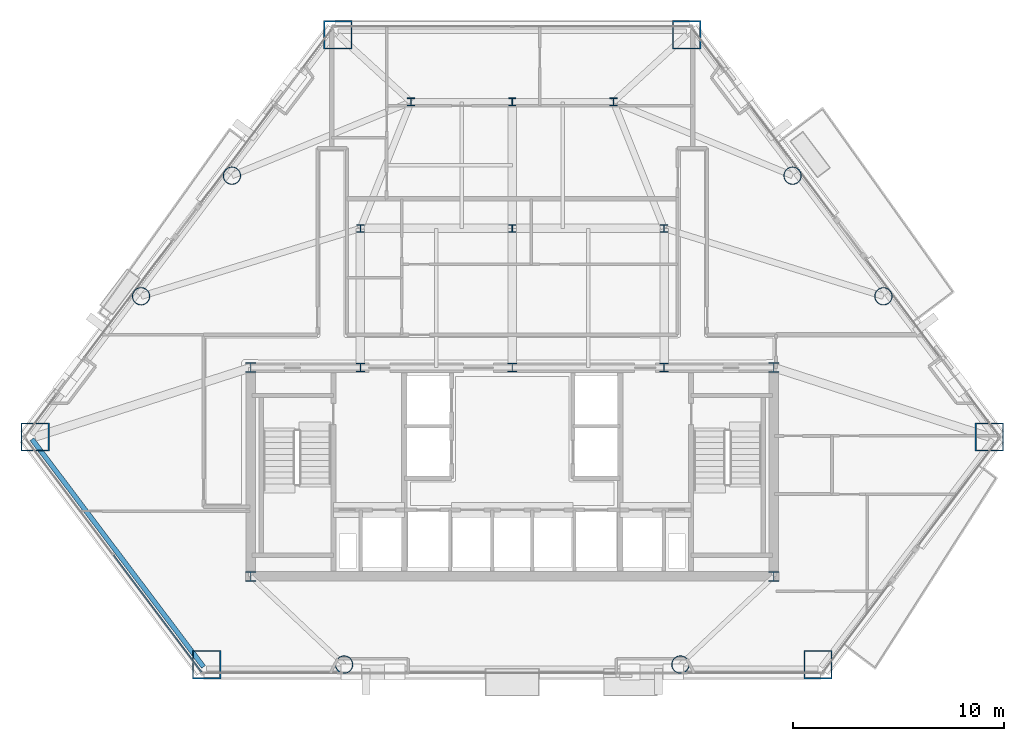
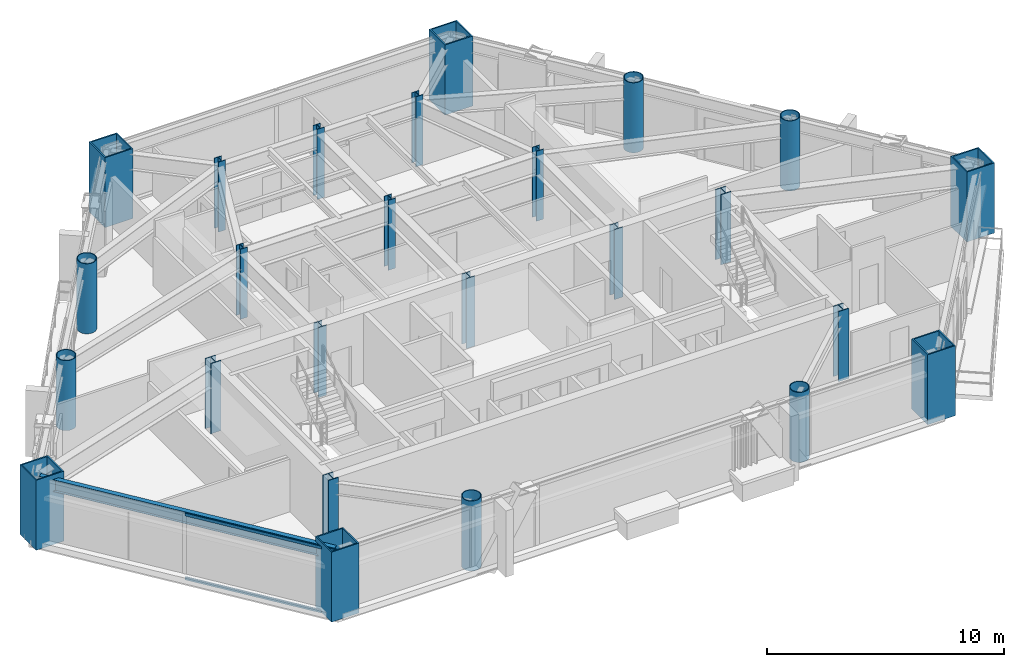
# One storey, part 1 of 11: 25 columns, 2 members, 1 beam, 1 element without a shape of its own.
"""IFC4 building model written with IfcOpenShell, lengths in metres."""

from ifc_helpers import new_model, si_unit, direction, frame, origin, origin_2d, place, context, subcontext, project, spatial, rectangle, hollow_rectangle, hollow_circle, i_section, extrude, material, layer, layer_set, material_profile, profile_set, type_object, element, aggregate, save


model = new_model("IFC4")

# Units and contexts
model_context = context("Model", 3, precision=1e-05, world=origin(), true_north=direction((0.0, 1.0)))
body_context = subcontext(model_context, "Body", "Model", "MODEL_VIEW")
ifc_project = project(units=[si_unit("LENGTHUNIT", "METRE"), si_unit("AREAUNIT", "SQUARE_METRE"), si_unit("VOLUMEUNIT", "CUBIC_METRE"), si_unit("PLANEANGLEUNIT", "RADIAN"), si_unit("MASSUNIT", "GRAM", prefix="KILO")], contexts=[model_context])

# Site, building, storey
site_placement = place(None, origin())
site = spatial("IfcSite", under=ifc_project, at=site_placement, CompositionType="ELEMENT")
building_placement = place(site_placement, origin())
building = spatial("IfcBuilding", under=site, at=building_placement, Name="Talgorran Terracotta Tower", CompositionType="ELEMENT")
storey_placement = place(building_placement, frame((0.0, 0.0, 27.89990234375)))
storey = spatial("IfcBuildingStorey", under=building, at=storey_placement, Name="L06", CompositionType="ELEMENT", Elevation=27.89990234375)

# Columns
ifc_material_1 = material(Name="Steel S355 (300PLUS)", Category="steel")
ifc_material_profile_1 = material_profile(ifc_material_1, i_section(OverallWidth=0.35009765625, OverallDepth=0.366943359375, WebThickness=0.02490234375, FlangeThickness=0.031982421875, at=origin_2d()), Name="350WC258")
ifc_profile_set_1 = profile_set([ifc_material_profile_1], Name="Steel S355 (300PLUS)")
column_type_1 = type_object("IfcColumnType", Name="COL_350WC258", PredefinedType="COLUMN", material=ifc_profile_set_1)
for number, where, z_axis, x_axis, name in (
    (1, (-7.199951171875, 2.39990234375, 0.0), (0.0, 0.0, 1.0), (1.0, 0.0, 0.0), "L06 Interior Gravity Column IC1"),
    (2, (0.0, 2.39990234375, 0.0), (0.0, 0.0, 1.0), (1.0, 0.0, 0.0), "L06 Interior Gravity Column IC2"),
    (3, (7.199951171875, 2.39990234375, 0.0), (0.0, 0.0, 1.0), (1.0, 0.0, 0.0), "L06 Interior Gravity Column IC3"),
    (4, (-4.800048828125, 8.39990234375, 0.0), (0.0, 0.0, 1.0), (1.0, 0.0, 0.0), "L06 Interior Gravity Column IC4"),
    (5, (0.0, 8.39990234375, 0.0), (0.0, 0.0, 1.0), (1.0, 0.0, 0.0), "L06 Interior Gravity Column IC5"),
    (6, (4.800048828125, 8.39990234375, 0.0), (0.0, 0.0, 1.0), (1.0, 0.0, 0.0), "L06 Interior Gravity Column IC6"),
):
    element("IfcColumn", number, at=place(storey_placement, frame(where, z_axis=z_axis, x_axis=x_axis)), inside=storey, type_object=column_type_1, Name=name, PredefinedType="COLUMN", context=body_context, shape_type="SweptSolid", body=[
        extrude(i_section(OverallWidth=0.35009765625, OverallDepth=0.366943359375, WebThickness=0.02490234375, FlangeThickness=0.031982421875, at=origin_2d()), origin(), (0.0, 0.0, 1.0), 3.60009765625),
    ])
ifc_material_profile_2 = material_profile(ifc_material_1, i_section(OverallWidth=0.5, OverallDepth=0.48193359375, WebThickness=0.0400390625, FlangeThickness=0.044921875, at=origin_2d()), Name="500WC440")
ifc_profile_set_2 = profile_set([ifc_material_profile_2], Name="Steel S355 (300PLUS)")
column_type_2 = type_object("IfcColumnType", Name="COL_500WC440", PredefinedType="COLUMN", material=ifc_profile_set_2)
for number, where, z_axis, x_axis, name in (
    (7, (-12.39990234375, -14.10009765625, 0.0), (0.0, 0.0, 1.0), (1.0, 0.0, 0.0), "L06 Core Boundary Column CC1"),
    (8, (12.39990234375, -14.10009765625, 0.0), (0.0, 0.0, 1.0), (1.0, 0.0, 0.0), "L06 Core Boundary Column CC2"),
    (9, (12.39990234375, -4.199951171875, 0.0), (0.0, 0.0, 1.0), (1.0, 0.0, 0.0), "L06 Core Boundary Column CC3"),
    (10, (-12.39990234375, -4.199951171875, 0.0), (0.0, 0.0, 1.0), (1.0, 0.0, 0.0), "L06 Core Boundary Column CC4"),
):
    element("IfcColumn", number, at=place(storey_placement, frame(where, z_axis=z_axis, x_axis=x_axis)), inside=storey, type_object=column_type_2, Name=name, PredefinedType="COLUMN", context=body_context, shape_type="SweptSolid", body=[
        extrude(i_section(OverallWidth=0.5, OverallDepth=0.48193359375, WebThickness=0.0400390625, FlangeThickness=0.044921875, at=origin_2d()), origin(), (0.0, 0.0, 1.0), 3.60009765625),
    ])
ifc_material_2 = material(Name="Steel Grade 350 (350L0)", Category="steel")
ifc_material_profile_3 = material_profile(ifc_material_2, hollow_rectangle(XDim=1.35009765625, YDim=1.35009765625, WallThickness=0.06494140625, at=origin_2d()), Name="CFT1350X1350X65")
ifc_profile_set_3 = profile_set([ifc_material_profile_3], Name="Steel Grade 350 (350L0)")
column_type_3 = type_object("IfcColumnType", Name="COL_CFT_1350", PredefinedType="COLUMN", material=ifc_profile_set_3)
for number, where, z_axis, x_axis, name in (
    (11, (-22.62646484375, -7.490478515625, 0.0), (0.0, 0.0, 1.0), (1.0, 0.0, 0.0), "L06 Corner CFT Mega-Column MC1"),
    (12, (-14.495849609375, -18.280029296875, 0.0), (0.0, 0.0, 1.0), (1.0, 0.0, 0.0), "L06 Corner CFT Mega-Column MC2"),
    (13, (14.495849609375, -18.280029296875, 0.0), (0.0, 0.0, 1.0), (1.0, 0.0, 0.0), "L06 Corner CFT Mega-Column MC3"),
    (14, (22.62646484375, -7.490478515625, 0.0), (0.0, 0.0, 1.0), (1.0, 0.0, 0.0), "L06 Corner CFT Mega-Column MC4"),
    (15, (8.26318359375, 11.5703125, 0.0), (0.0, 0.0, 1.0), (1.0, 0.0, 0.0), "L06 Corner CFT Mega-Column MC5"),
    (16, (-8.26318359375, 11.5703125, 0.0), (0.0, 0.0, 1.0), (1.0, 0.0, 0.0), "L06 Corner CFT Mega-Column MC6"),
):
    element("IfcColumn", number, at=place(storey_placement, frame(where, z_axis=z_axis, x_axis=x_axis)), inside=storey, type_object=column_type_3, Name=name, PredefinedType="COLUMN", context=body_context, shape_type="SweptSolid", body=[
        extrude(hollow_rectangle(XDim=1.35009765625, YDim=1.35009765625, WallThickness=0.06494140625, at=origin_2d()), origin(), (0.0, 0.0, 1.0), 3.60009765625),
    ])
ifc_material_profile_4 = material_profile(ifc_material_2, hollow_circle(Radius=0.425048828125, WallThickness=0.0380859375, at=origin_2d()), Name="CHS850X38")
ifc_profile_set_4 = profile_set([ifc_material_profile_4], Name="Steel Grade 350 (350L0)")
column_type_4 = type_object("IfcColumnType", Name="COL_CHS_850", PredefinedType="COLUMN", material=ifc_profile_set_4)
for number, where, z_axis, x_axis, name in (
    (17, (-7.97265625, -18.280029296875, 0.0), (0.0, 0.0, 1.0), (1.0, 0.0, 0.0), "L06 Facet Perimeter Column FC1"),
    (18, (7.97265625, -18.280029296875, 0.0), (0.0, 0.0, 1.0), (1.0, 0.0, 0.0), "L06 Facet Perimeter Column FC2"),
    (19, (17.599365234375, -0.819091796875, 0.0), (0.0, 0.0, 1.0), (1.0, 0.0, 0.0), "L06 Facet Perimeter Column FC3"),
    (20, (13.290283203125, 4.899169921875, 0.0), (0.0, 0.0, 1.0), (1.0, 0.0, 0.0), "L06 Facet Perimeter Column FC4"),
    (21, (-13.290283203125, 4.899169921875, 0.0), (0.0, 0.0, 1.0), (1.0, 0.0, 0.0), "L06 Facet Perimeter Column FC5"),
    (22, (-17.599365234375, -0.819091796875, 0.0), (0.0, 0.0, 1.0), (1.0, 0.0, 0.0), "L06 Facet Perimeter Column FC6"),
):
    element("IfcColumn", number, at=place(storey_placement, frame(where, z_axis=z_axis, x_axis=x_axis)), inside=storey, type_object=column_type_4, Name=name, PredefinedType="COLUMN", context=body_context, shape_type="SweptSolid", body=[
        extrude(hollow_circle(Radius=0.425048828125, WallThickness=0.0380859375, at=origin_2d()), origin(), (0.0, 0.0, 1.0), 3.60009765625),
    ])
ifc_material_profile_5 = material_profile(ifc_material_1, i_section(OverallWidth=0.405029296875, OverallDepth=0.4140625, WebThickness=0.02197265625, FlangeThickness=0.031982421875, at=origin_2d()), Name="400WC270")
ifc_profile_set_5 = profile_set([ifc_material_profile_5], Name="Steel S355 (300PLUS)")
column_type_5 = type_object("IfcColumnType", Name="COL_PIL_400WC270", PredefinedType="PILASTER", material=ifc_profile_set_5)
for number, where, z_axis, x_axis, name in (
    (23, (-7.199951171875, -4.199951171875, 0.0), (0.0, 0.0, 1.0), (1.0, 0.0, 0.0), "L06 Core Shear Pilaster CP1"),
    (24, (0.0, -4.199951171875, 0.0), (0.0, 0.0, 1.0), (1.0, 0.0, 0.0), "L06 Core Shear Pilaster CP2"),
    (25, (7.199951171875, -4.199951171875, 0.0), (0.0, 0.0, 1.0), (1.0, 0.0, 0.0), "L06 Core Shear Pilaster CP3"),
):
    element("IfcColumn", number, at=place(storey_placement, frame(where, z_axis=z_axis, x_axis=x_axis)), inside=storey, type_object=column_type_5, Name=name, PredefinedType="PILASTER", context=body_context, shape_type="SweptSolid", body=[
        extrude(i_section(OverallWidth=0.405029296875, OverallDepth=0.4140625, WebThickness=0.02197265625, FlangeThickness=0.031982421875, at=origin_2d()), origin(), (0.0, 0.0, 1.0), 3.60009765625),
    ])

# Beam
ifc_material_profile_6 = material_profile(ifc_material_1, i_section(OverallWidth=0.22900390625, OverallDepth=0.611572265625, WebThickness=0.011962890625, FlangeThickness=0.01953125, at=origin_2d()), Name="610UB125")
ifc_profile_set_6 = profile_set([ifc_material_profile_6], Name="Steel S355 (300PLUS)")
beam_type = type_object("IfcBeamType", Name="BM_SP_610UB125", PredefinedType="SPANDREL", material=ifc_profile_set_6)
beam_placement = place(storey_placement, frame((-22.770263671875, -7.5986328125, 3.044189453125), z_axis=(0.601820005964, -0.798631755205, 0.0), x_axis=(0.798631755205, 0.601820005964, 0.0)))
element("IfcBeam", 26, at=beam_placement, inside=storey, type_object=beam_type, Name="L06 Perimeter Spandrel Beam MC1-MC2", PredefinedType="SPANDREL", context=body_context, shape_type="SweptSolid", body=[
    extrude(i_section(OverallWidth=0.22900390625, OverallDepth=0.611572265625, WebThickness=0.011962890625, FlangeThickness=0.01953125, at=origin_2d()), origin(), (0.0, 0.0, 1.0), 13.510009765625),
])

# Curtain wall, members
ifc_material_3 = material(Name="Unitised Low-E Double Glazing", Category="glass")
ifc_layer = layer(ifc_material_3, 0.199951171875, Name="CW_SYS2_RES_LOW")
ifc_layer_set = layer_set([ifc_layer], Name="Unitised Low-E Double Glazing")
curtain_wall_type = type_object("IfcCurtainWallType", Name="CW_SYS2_RES_LOW", PredefinedType="NOTDEFINED", material=ifc_layer_set)
curtain_wall_placement = place(storey_placement, origin())
curtain_wall = element("IfcCurtainWall", 27, at=curtain_wall_placement, inside=storey, type_object=curtain_wall_type, Name="CW-L06-F0", PredefinedType="NOTDEFINED")
ifc_material_4 = material(Name="Architectural Aluminium 6063-T6", Category="aluminium")
ifc_material_profile_7 = material_profile(ifc_material_4, rectangle(XDim=0.06494140625, YDim=0.14990234375, at=origin_2d()), Name="CWT65X150")
ifc_profile_set_7 = profile_set([ifc_material_profile_7], Name="Architectural Aluminium 6063-T6")
member_type = type_object("IfcMemberType", Name="TRN_65X150", PredefinedType="USERDEFINED", material=ifc_profile_set_7)
member_1_placement = place(storey_placement, frame((-18.891845703125, -13.111083984375, 0.03271484375), z_axis=(0.601796664626, -0.798649343858, 0.0), x_axis=(0.798649343858, 0.601796664626, 0.0)))
member_1 = element("IfcMember", 28, at=member_1_placement, type_object=member_type, Name="CW-L06-0 transom 2.1", ObjectType="TRANSOM", PredefinedType="USERDEFINED", context=body_context, shape_type="SweptSolid", body=[
    extrude(rectangle(XDim=0.06494140625, YDim=0.14990234375, at=origin_2d()), origin(), (0.0, 0.0, 1.0), 6.907958984375),
])
member_2_placement = place(storey_placement, frame((-18.891845703125, -13.111083984375, 3.317626953125), z_axis=(0.601796664626, -0.798649343858, 0.0), x_axis=(0.798649343858, 0.601796664626, 0.0)))
member_2 = element("IfcMember", 29, at=member_2_placement, type_object=member_type, Name="CW-L06-0 transom 2.2", ObjectType="TRANSOM", PredefinedType="USERDEFINED", context=body_context, shape_type="SweptSolid", body=[
    extrude(rectangle(XDim=0.06494140625, YDim=0.14990234375, at=origin_2d()), origin(), (0.0, 0.0, 1.0), 6.907958984375),
])
aggregate(curtain_wall, [member_1, member_2])

save(model, "model.ifc")
